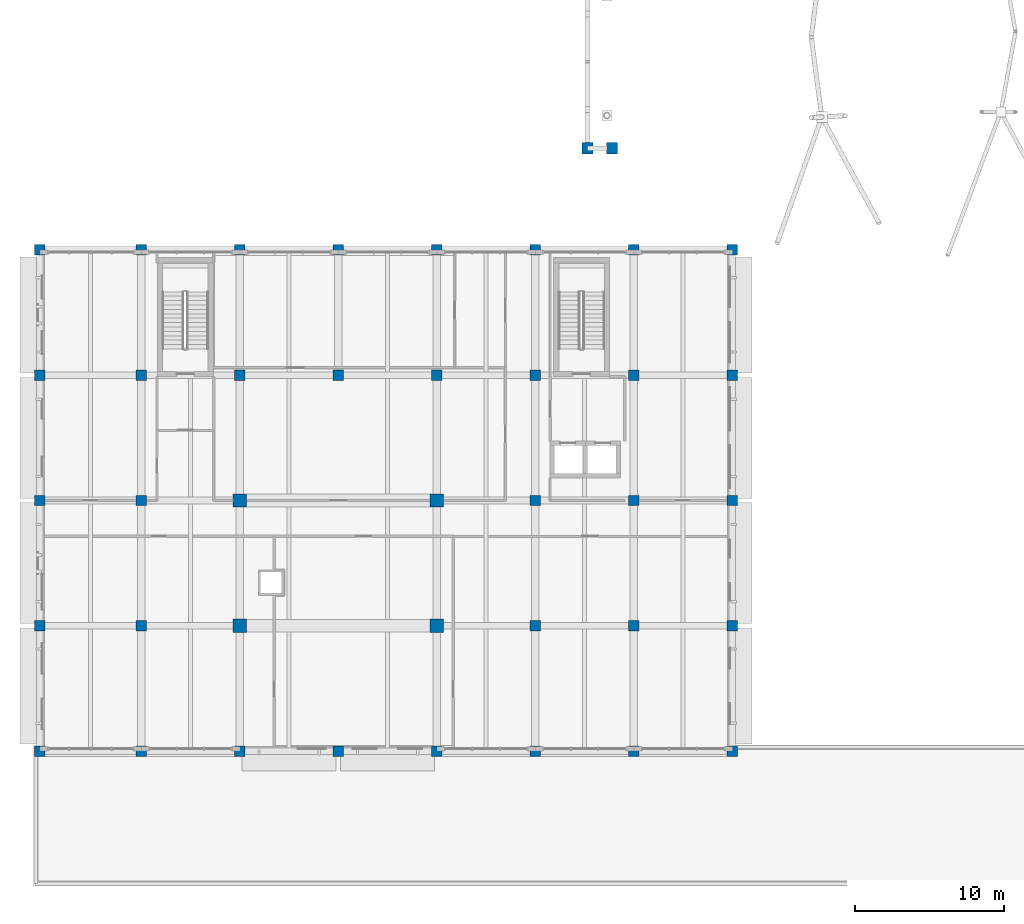
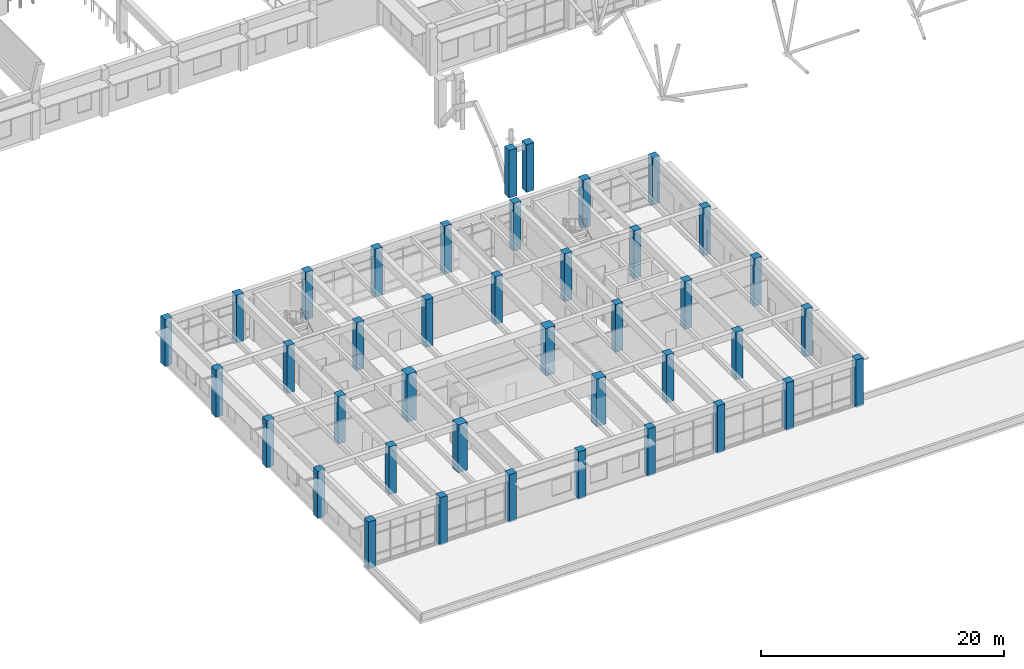
# One storey, part 1 of 75: 40 columns.
"""IFC4 building model written with IfcOpenShell, lengths in metres."""

from ifc_helpers import new_model, si_unit, direction, frame, origin, origin_2d, place, context, subcontext, project, spatial, rectangle, extrude, material, material_profile, profile_set, type_object, element, save


model = new_model("IFC4")

# Units and contexts
model_context = context("Model", 3, precision=1e-05, world=origin(), true_north=direction((0.0, 1.0)))
body_context = subcontext(model_context, "Body", "Model", "MODEL_VIEW")
ifc_project = project(units=[si_unit("LENGTHUNIT", "METRE"), si_unit("AREAUNIT", "SQUARE_METRE"), si_unit("VOLUMEUNIT", "CUBIC_METRE"), si_unit("PLANEANGLEUNIT", "RADIAN"), si_unit("MASSUNIT", "GRAM", prefix="KILO")], contexts=[model_context])

# Site, building, storey
site_placement = place(None, origin())
site = spatial("IfcSite", under=ifc_project, at=site_placement, CompositionType="ELEMENT")
building_placement = place(site_placement, origin())
building = spatial("IfcBuilding", under=site, at=building_placement, Name="Kolvaren Faculty of Natural Sciences", CompositionType="ELEMENT")
storey_placement = place(building_placement, frame((0.0, 0.0, 5.39990234375)))
storey = spatial("IfcBuildingStorey", under=building, at=storey_placement, Name="L01", CompositionType="ELEMENT", Elevation=5.39990234375)

# Columns
ifc_material = material(Name="Concrete C40/50", Category="concrete")
ifc_material_profile_1 = material_profile(ifc_material, rectangle(XDim=0.89990234375, YDim=0.89990234375, at=origin_2d()), Name="RC COL 900x900")
ifc_profile_set_1 = profile_set([ifc_material_profile_1], Name="Concrete C40/50")
column_type_1 = type_object("IfcColumnType", Name="MegaColumn_900x900", PredefinedType="COLUMN", material=ifc_profile_set_1)
for number, where, z_axis, x_axis, name in (
    (1, (13.39990234375, 17.0, 0.0), (0.0, 0.0, 1.0), (1.0, 0.0, 0.0), "L01 column MC-1 at 3/C"),
    (2, (13.39990234375, 25.39990234375, 0.0), (0.0, 0.0, 1.0), (1.0, 0.0, 0.0), "L01 column MC-1 at 3/D"),
    (3, (26.60009765625, 17.0, 0.0), (0.0, 0.0, 1.0), (1.0, 0.0, 0.0), "L01 column MC-1 at 5/C"),
    (4, (26.60009765625, 25.39990234375, 0.0), (0.0, 0.0, 1.0), (1.0, 0.0, 0.0), "L01 column MC-1 at 5/D"),
):
    element("IfcColumn", number, at=place(storey_placement, frame(where, z_axis=z_axis, x_axis=x_axis)), inside=storey, type_object=column_type_1, Name=name, PredefinedType="COLUMN", context=body_context, shape_type="SweptSolid", body=[
        extrude(rectangle(XDim=0.89990234375, YDim=0.89990234375, at=origin_2d()), origin(), (0.0, 0.0, 1.0), 4.800048828125),
    ])
ifc_material_profile_2 = material_profile(ifc_material, rectangle(XDim=0.75, YDim=0.75, at=origin_2d()), Name="RC COL 750x750")
ifc_profile_set_2 = profile_set([ifc_material_profile_2], Name="Concrete C40/50")
column_type_2 = type_object("IfcColumnType", Name="TowerColumn_750x750", PredefinedType="COLUMN", material=ifc_profile_set_2)
for number, where, z_axis, x_axis, name in (
    (5, (36.699951171875, 49.0, 0.0), (0.0, 0.0, 1.0), (1.0, 0.0, 0.0), "West Covered-Street Monumental Gateway Pishtaq monumental pier L (L01)"),
    (6, (38.35009765625, 49.0, 0.0), (0.0, 0.0, 1.0), (1.0, 0.0, 0.0), "West Covered-Street Monumental Gateway Pishtaq monumental pier LB (L01)"),
):
    element("IfcColumn", number, at=place(storey_placement, frame(where, z_axis=z_axis, x_axis=x_axis)), inside=storey, type_object=column_type_2, Name=name, PredefinedType="COLUMN", context=body_context, shape_type="SweptSolid", body=[
        extrude(rectangle(XDim=0.75, YDim=0.75, at=origin_2d()), origin(), (0.0, 0.0, 1.0), 4.800048828125),
    ])
ifc_material_profile_3 = material_profile(ifc_material, rectangle(XDim=0.699951171875, YDim=0.699951171875, at=origin_2d()), Name="RC COL 700x700")
ifc_profile_set_3 = profile_set([ifc_material_profile_3], Name="Concrete C40/50")
column_type_3 = type_object("IfcColumnType", Name="WingColumn_700x700", PredefinedType="COLUMN", material=ifc_profile_set_3)
for number, where, z_axis, x_axis, name in (
    (7, (0.0, 8.60009765625, 0.0), (0.0, 0.0, 1.0), (1.0, 0.0, 0.0), "L01 column WC-70 at 1/B"),
    (8, (0.0, 17.0, 0.0), (0.0, 0.0, 1.0), (1.0, 0.0, 0.0), "L01 column WC-70 at 1/C"),
    (9, (0.0, 25.39990234375, 0.0), (0.0, 0.0, 1.0), (1.0, 0.0, 0.0), "L01 column WC-70 at 1/D"),
    (10, (0.0, 33.800048828125, 0.0), (0.0, 0.0, 1.0), (1.0, 0.0, 0.0), "L01 column WC-70 at 1/E"),
    (11, (0.0, 42.199951171875, 0.0), (0.0, 0.0, 1.0), (1.0, 0.0, 0.0), "L01 column WC-70 at 1/F"),
):
    element("IfcColumn", number, at=place(storey_placement, frame(where, z_axis=z_axis, x_axis=x_axis)), inside=storey, type_object=column_type_3, Name=name, PredefinedType="COLUMN", context=body_context, shape_type="SweptSolid", body=[
        extrude(rectangle(XDim=0.699951171875, YDim=0.699951171875, at=origin_2d()), origin(), (0.0, 0.0, 1.0), 4.739990234375),
    ])
for number, where, z_axis, x_axis, name in (
    (12, (6.800048828125, 8.60009765625, 0.0), (0.0, 0.0, 1.0), (1.0, 0.0, 0.0), "L01 column WC-70 at 2/B"),
    (13, (6.800048828125, 17.0, 0.0), (0.0, 0.0, 1.0), (1.0, 0.0, 0.0), "L01 column WC-70 at 2/C"),
    (14, (6.800048828125, 25.39990234375, 0.0), (0.0, 0.0, 1.0), (1.0, 0.0, 0.0), "L01 column WC-70 at 2/D"),
    (15, (6.800048828125, 33.800048828125, 0.0), (0.0, 0.0, 1.0), (1.0, 0.0, 0.0), "L01 column WC-70 at 2/E"),
    (16, (6.800048828125, 42.199951171875, 0.0), (0.0, 0.0, 1.0), (1.0, 0.0, 0.0), "L01 column WC-70 at 2/F"),
    (17, (13.39990234375, 8.60009765625, 0.0), (0.0, 0.0, 1.0), (1.0, 0.0, 0.0), "L01 column WC-70 at 3/B"),
    (18, (13.39990234375, 33.800048828125, 0.0), (0.0, 0.0, 1.0), (1.0, 0.0, 0.0), "L01 column WC-70 at 3/E"),
    (19, (13.39990234375, 42.199951171875, 0.0), (0.0, 0.0, 1.0), (1.0, 0.0, 0.0), "L01 column WC-70 at 3/F"),
    (20, (20.0, 8.60009765625, 0.0), (0.0, 0.0, 1.0), (1.0, 0.0, 0.0), "L01 column WC-70 at 4/B"),
    (21, (20.0, 33.800048828125, 0.0), (0.0, 0.0, 1.0), (1.0, 0.0, 0.0), "L01 column WC-70 at 4/E"),
    (22, (20.0, 42.199951171875, 0.0), (0.0, 0.0, 1.0), (1.0, 0.0, 0.0), "L01 column WC-70 at 4/F"),
    (23, (26.60009765625, 8.60009765625, 0.0), (0.0, 0.0, 1.0), (1.0, 0.0, 0.0), "L01 column WC-70 at 5/B"),
    (24, (26.60009765625, 33.800048828125, 0.0), (0.0, 0.0, 1.0), (1.0, 0.0, 0.0), "L01 column WC-70 at 5/E"),
    (25, (26.60009765625, 42.199951171875, 0.0), (0.0, 0.0, 1.0), (1.0, 0.0, 0.0), "L01 column WC-70 at 5/F"),
    (26, (33.199951171875, 8.60009765625, 0.0), (0.0, 0.0, 1.0), (1.0, 0.0, 0.0), "L01 column WC-70 at 6/B"),
    (27, (33.199951171875, 17.0, 0.0), (0.0, 0.0, 1.0), (1.0, 0.0, 0.0), "L01 column WC-70 at 6/C"),
    (28, (33.199951171875, 25.39990234375, 0.0), (0.0, 0.0, 1.0), (1.0, 0.0, 0.0), "L01 column WC-70 at 6/D"),
    (29, (33.199951171875, 33.800048828125, 0.0), (0.0, 0.0, 1.0), (1.0, 0.0, 0.0), "L01 column WC-70 at 6/E"),
    (30, (33.199951171875, 42.199951171875, 0.0), (0.0, 0.0, 1.0), (1.0, 0.0, 0.0), "L01 column WC-70 at 6/F"),
    (31, (39.800048828125, 8.60009765625, 0.0), (0.0, 0.0, 1.0), (1.0, 0.0, 0.0), "L01 column WC-70 at 7/B"),
    (32, (39.800048828125, 17.0, 0.0), (0.0, 0.0, 1.0), (1.0, 0.0, 0.0), "L01 column WC-70 at 7/C"),
    (33, (39.800048828125, 25.39990234375, 0.0), (0.0, 0.0, 1.0), (1.0, 0.0, 0.0), "L01 column WC-70 at 7/D"),
    (34, (39.800048828125, 33.800048828125, 0.0), (0.0, 0.0, 1.0), (1.0, 0.0, 0.0), "L01 column WC-70 at 7/E"),
    (35, (39.800048828125, 42.199951171875, 0.0), (0.0, 0.0, 1.0), (1.0, 0.0, 0.0), "L01 column WC-70 at 7/F"),
    (36, (46.39990234375, 8.60009765625, 0.0), (0.0, 0.0, 1.0), (1.0, 0.0, 0.0), "L01 column WC-70 at 8/B"),
    (37, (46.39990234375, 17.0, 0.0), (0.0, 0.0, 1.0), (1.0, 0.0, 0.0), "L01 column WC-70 at 8/C"),
    (38, (46.39990234375, 25.39990234375, 0.0), (0.0, 0.0, 1.0), (1.0, 0.0, 0.0), "L01 column WC-70 at 8/D"),
    (39, (46.39990234375, 33.800048828125, 0.0), (0.0, 0.0, 1.0), (1.0, 0.0, 0.0), "L01 column WC-70 at 8/E"),
):
    element("IfcColumn", number, at=place(storey_placement, frame(where, z_axis=z_axis, x_axis=x_axis)), inside=storey, type_object=column_type_3, Name=name, PredefinedType="COLUMN", context=body_context, shape_type="SweptSolid", body=[
        extrude(rectangle(XDim=0.699951171875, YDim=0.699951171875, at=origin_2d()), origin(), (0.0, 0.0, 1.0), 4.800048828125),
    ])
column_placement = place(storey_placement, frame((46.39990234375, 42.199951171875, 0.0), z_axis=(0.0, 0.0, 1.0), x_axis=(1.0, 0.0, 0.0)))
element("IfcColumn", 40, at=column_placement, inside=storey, type_object=column_type_3, Name="L01 column WC-70 at 8/F", PredefinedType="COLUMN", context=body_context, shape_type="SweptSolid", body=[
    extrude(rectangle(XDim=0.699951171875, YDim=0.699951171875, at=origin_2d()), origin(), (0.0, 0.0, 1.0), 4.739990234375),
])

save(model, "model.ifc")
